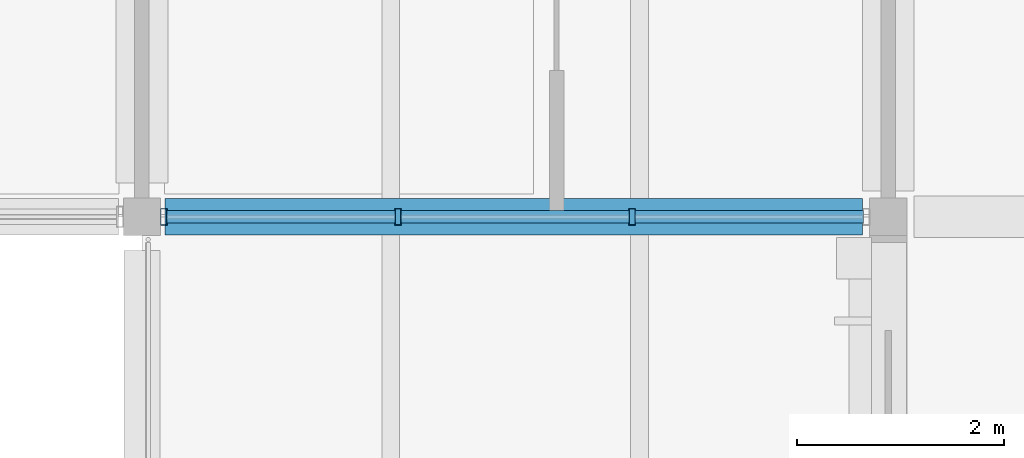
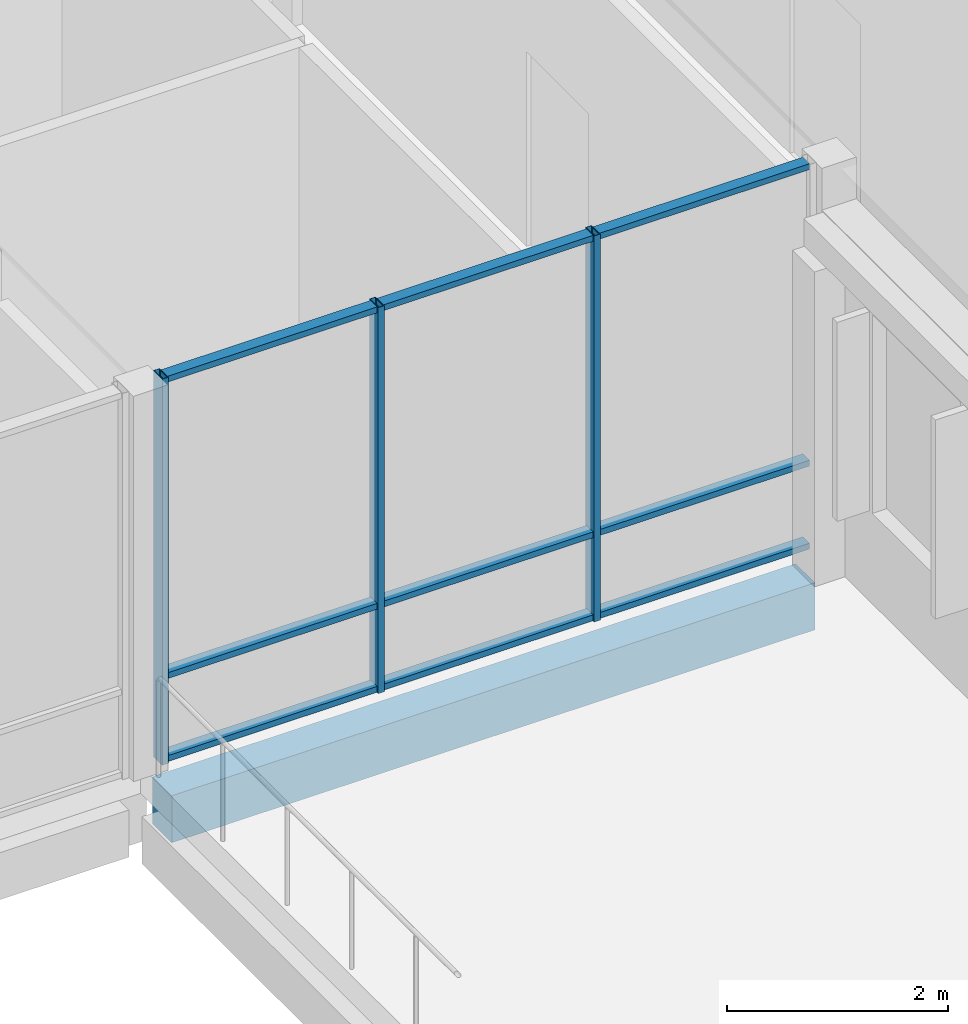
# One storey, part 23 of 146: 12 members, 1 beam, 1 element without a shape of its own.
"""IFC4 building model written with IfcOpenShell, lengths in metres."""

from ifc_helpers import new_model, si_unit, direction, frame, origin, origin_2d, place, context, subcontext, project, spatial, rectangle, hollow_rectangle, extrude, material, material_profile, profile_set, type_object, element, aggregate, save


model = new_model("IFC4")

# Units and contexts
model_context = context("Model", 3, precision=1e-05, world=origin(), true_north=direction((0.0, 1.0)))
body_context = subcontext(model_context, "Body", "Model", "MODEL_VIEW")
ifc_project = project(units=[si_unit("LENGTHUNIT", "METRE"), si_unit("AREAUNIT", "SQUARE_METRE"), si_unit("VOLUMEUNIT", "CUBIC_METRE"), si_unit("PLANEANGLEUNIT", "RADIAN"), si_unit("MASSUNIT", "GRAM", prefix="KILO")], contexts=[model_context])

# Site, building, storey
site_placement = place(None, origin())
site = spatial("IfcSite", under=ifc_project, at=site_placement, CompositionType="ELEMENT")
building_placement = place(site_placement, origin())
building = spatial("IfcBuilding", under=site, at=building_placement, Name="Hawrajan Terrace Health Centre", CompositionType="ELEMENT")
storey_placement = place(building_placement, frame((0.0, 0.0, 4.5)))
storey = spatial("IfcBuildingStorey", under=building, at=storey_placement, Name="L01", CompositionType="ELEMENT", Elevation=4.5)

# Curtain wall, members
ifc_material_1 = material(Name="Anodized bronze aluminium and low-E solar glazing", Category="aluminium")
curtain_wall_type = type_object("IfcCurtainWallType", Name="CW_Court_SeriesB3", PredefinedType="USERDEFINED", material=ifc_material_1)
curtain_wall_placement = place(storey_placement, origin())
curtain_wall = element("IfcCurtainWall", 1, at=curtain_wall_placement, inside=storey, type_object=curtain_wall_type, Name="Curtain wall CW-L01-054", ObjectType="UNITISED CURTAIN WALL", PredefinedType="USERDEFINED")
ifc_material_2 = material(Name="Anodized bronze aluminium 6063-T6", Category="aluminium")
ifc_material_profile_1 = material_profile(ifc_material_2, hollow_rectangle(XDim=0.06494140625, YDim=0.159912109375, WallThickness=0.00390625, at=origin_2d()), Name="CW MUL 65x160")
ifc_profile_set_1 = profile_set([ifc_material_profile_1], Name="Anodized bronze aluminium 6063-T6")
member_type_1 = type_object("IfcMemberType", Name="CWMullion_65x160", PredefinedType="MULLION", material=ifc_profile_set_1)
member_1_placement = place(storey_placement, frame((12.012451171875, 27.199951171875, -0.0048828125), z_axis=(0.0, 0.0, 1.0), x_axis=(1.0, 0.0, 0.0)))
member_1 = element("IfcMember", 2, at=member_1_placement, type_object=member_type_1, Name="Mullion CW-L01-054-M1", PredefinedType="MULLION", context=body_context, shape_type="SweptSolid", body=[
    extrude(hollow_rectangle(XDim=0.06494140625, YDim=0.159912109375, WallThickness=0.00390625, at=origin_2d()), origin(), (0.0, 0.0, 1.0), 4.269775390625),
])
member_2_placement = place(storey_placement, frame((14.270751953125, 27.199951171875, -0.0048828125), z_axis=(0.0, 0.0, 1.0), x_axis=(1.0, 0.0, 0.0)))
member_2 = element("IfcMember", 3, at=member_2_placement, type_object=member_type_1, Name="Mullion CW-L01-054-M2", PredefinedType="MULLION", context=body_context, shape_type="SweptSolid", body=[
    extrude(hollow_rectangle(XDim=0.06494140625, YDim=0.159912109375, WallThickness=0.00390625, at=origin_2d()), origin(), (0.0, 0.0, 1.0), 4.269775390625),
])
member_3_placement = place(storey_placement, frame((16.529296875, 27.199951171875, -0.0048828125), z_axis=(0.0, 0.0, 1.0), x_axis=(1.0, 0.0, 0.0)))
member_3 = element("IfcMember", 4, at=member_3_placement, type_object=member_type_1, Name="Mullion CW-L01-054-M3", PredefinedType="MULLION", context=body_context, shape_type="SweptSolid", body=[
    extrude(hollow_rectangle(XDim=0.06494140625, YDim=0.159912109375, WallThickness=0.00390625, at=origin_2d()), origin(), (0.0, 0.0, 1.0), 4.269775390625),
])
ifc_material_profile_2 = material_profile(ifc_material_2, hollow_rectangle(XDim=0.06494140625, YDim=0.1201171875, WallThickness=0.00341796875, at=origin_2d()), Name="CW TRN 65x120")
ifc_profile_set_2 = profile_set([ifc_material_profile_2], Name="Anodized bronze aluminium 6063-T6")
member_type_2 = type_object("IfcMemberType", Name="CWTransom_65x120", PredefinedType="USERDEFINED", material=ifc_profile_set_2)
member_4_placement = place(storey_placement, frame((12.0390625, 27.199951171875, 0.032470703125), z_axis=(1.0, 0.0, 0.0), x_axis=(0.0, 0.0, 1.0)))
member_4 = element("IfcMember", 5, at=member_4_placement, type_object=member_type_2, Name="Transom CW-L01-054-T1-1", ObjectType="TRANSOM", PredefinedType="USERDEFINED", context=body_context, shape_type="SweptSolid", body=[
    extrude(hollow_rectangle(XDim=0.06494140625, YDim=0.1201171875, WallThickness=0.00341796875, at=origin_2d()), origin(), (0.0, 0.0, 1.0), 2.205322265625),
])
member_5_placement = place(storey_placement, frame((12.0390625, 27.199951171875, 0.949951171875), z_axis=(1.0, 0.0, 0.0), x_axis=(0.0, 0.0, 1.0)))
member_5 = element("IfcMember", 6, at=member_5_placement, type_object=member_type_2, Name="Transom CW-L01-054-T1-2", ObjectType="TRANSOM", PredefinedType="USERDEFINED", context=body_context, shape_type="SweptSolid", body=[
    extrude(hollow_rectangle(XDim=0.06494140625, YDim=0.1201171875, WallThickness=0.00341796875, at=origin_2d()), origin(), (0.0, 0.0, 1.0), 2.205322265625),
])
member_6_placement = place(storey_placement, frame((12.0390625, 27.199951171875, 4.2275390625), z_axis=(1.0, 0.0, 0.0), x_axis=(0.0, 0.0, 1.0)))
member_6 = element("IfcMember", 7, at=member_6_placement, type_object=member_type_2, Name="Transom CW-L01-054-T1-3", ObjectType="TRANSOM", PredefinedType="USERDEFINED", context=body_context, shape_type="SweptSolid", body=[
    extrude(hollow_rectangle(XDim=0.06494140625, YDim=0.1201171875, WallThickness=0.00341796875, at=origin_2d()), origin(), (0.0, 0.0, 1.0), 2.205322265625),
])
member_7_placement = place(storey_placement, frame((14.29736328125, 27.199951171875, 0.032470703125), z_axis=(1.0, 0.0, 0.0), x_axis=(0.0, 0.0, 1.0)))
member_7 = element("IfcMember", 8, at=member_7_placement, type_object=member_type_2, Name="Transom CW-L01-054-T2-1", ObjectType="TRANSOM", PredefinedType="USERDEFINED", context=body_context, shape_type="SweptSolid", body=[
    extrude(hollow_rectangle(XDim=0.06494140625, YDim=0.1201171875, WallThickness=0.00341796875, at=origin_2d()), origin(), (0.0, 0.0, 1.0), 2.205322265625),
])
member_8_placement = place(storey_placement, frame((14.29736328125, 27.199951171875, 0.949951171875), z_axis=(1.0, 0.0, 0.0), x_axis=(0.0, 0.0, 1.0)))
member_8 = element("IfcMember", 9, at=member_8_placement, type_object=member_type_2, Name="Transom CW-L01-054-T2-2", ObjectType="TRANSOM", PredefinedType="USERDEFINED", context=body_context, shape_type="SweptSolid", body=[
    extrude(hollow_rectangle(XDim=0.06494140625, YDim=0.1201171875, WallThickness=0.00341796875, at=origin_2d()), origin(), (0.0, 0.0, 1.0), 2.205322265625),
])
member_9_placement = place(storey_placement, frame((14.29736328125, 27.199951171875, 4.2275390625), z_axis=(1.0, 0.0, 0.0), x_axis=(0.0, 0.0, 1.0)))
member_9 = element("IfcMember", 10, at=member_9_placement, type_object=member_type_2, Name="Transom CW-L01-054-T2-3", ObjectType="TRANSOM", PredefinedType="USERDEFINED", context=body_context, shape_type="SweptSolid", body=[
    extrude(hollow_rectangle(XDim=0.06494140625, YDim=0.1201171875, WallThickness=0.00341796875, at=origin_2d()), origin(), (0.0, 0.0, 1.0), 2.205322265625),
])
member_10_placement = place(storey_placement, frame((16.5556640625, 27.199951171875, 0.032470703125), z_axis=(1.0, 0.0, 0.0), x_axis=(0.0, 0.0, 1.0)))
member_10 = element("IfcMember", 11, at=member_10_placement, type_object=member_type_2, Name="Transom CW-L01-054-T3-1", ObjectType="TRANSOM", PredefinedType="USERDEFINED", context=body_context, shape_type="SweptSolid", body=[
    extrude(hollow_rectangle(XDim=0.06494140625, YDim=0.1201171875, WallThickness=0.00341796875, at=origin_2d()), origin(), (0.0, 0.0, 1.0), 2.205322265625),
])
member_11_placement = place(storey_placement, frame((16.5556640625, 27.199951171875, 0.949951171875), z_axis=(1.0, 0.0, 0.0), x_axis=(0.0, 0.0, 1.0)))
member_11 = element("IfcMember", 12, at=member_11_placement, type_object=member_type_2, Name="Transom CW-L01-054-T3-2", ObjectType="TRANSOM", PredefinedType="USERDEFINED", context=body_context, shape_type="SweptSolid", body=[
    extrude(hollow_rectangle(XDim=0.06494140625, YDim=0.1201171875, WallThickness=0.00341796875, at=origin_2d()), origin(), (0.0, 0.0, 1.0), 2.205322265625),
])
member_12_placement = place(storey_placement, frame((16.5556640625, 27.199951171875, 4.2275390625), z_axis=(1.0, 0.0, 0.0), x_axis=(0.0, 0.0, 1.0)))
member_12 = element("IfcMember", 13, at=member_12_placement, type_object=member_type_2, Name="Transom CW-L01-054-T3-3", ObjectType="TRANSOM", PredefinedType="USERDEFINED", context=body_context, shape_type="SweptSolid", body=[
    extrude(hollow_rectangle(XDim=0.06494140625, YDim=0.1201171875, WallThickness=0.00341796875, at=origin_2d()), origin(), (0.0, 0.0, 1.0), 2.205322265625),
])
aggregate(curtain_wall, [member_1, member_2, member_3, member_4, member_5, member_6, member_7, member_8, member_9, member_10, member_11, member_12])

# Beam
ifc_material_3 = material(Name="Concrete C40/50", Category="concrete")
ifc_material_profile_3 = material_profile(ifc_material_3, rectangle(XDim=0.35009765625, YDim=0.52001953125, at=origin_2d()), Name="RC SP 350x520")
ifc_profile_set_3 = profile_set([ifc_material_profile_3], Name="Concrete C40/50")
beam_type = type_object("IfcBeamType", Name="RCSpandrel_350x520", PredefinedType="SPANDREL", material=ifc_profile_set_3)
beam_placement = place(storey_placement, frame((12.02490234375, 27.199951171875, -0.56005859375), z_axis=(1.0, 0.0, 0.0), x_axis=(0.0, 1.0, 0.0)))
element("IfcBeam", 14, at=beam_placement, inside=storey, type_object=beam_type, Name="Beam BM-X-L01-W-02-Y4", PredefinedType="SPANDREL", context=body_context, shape_type="SweptSolid", body=[
    extrude(rectangle(XDim=0.35009765625, YDim=0.52001953125, at=origin_2d()), origin(), (0.0, 0.0, 1.0), 6.72509765625),
])

save(model, "model.ifc")
